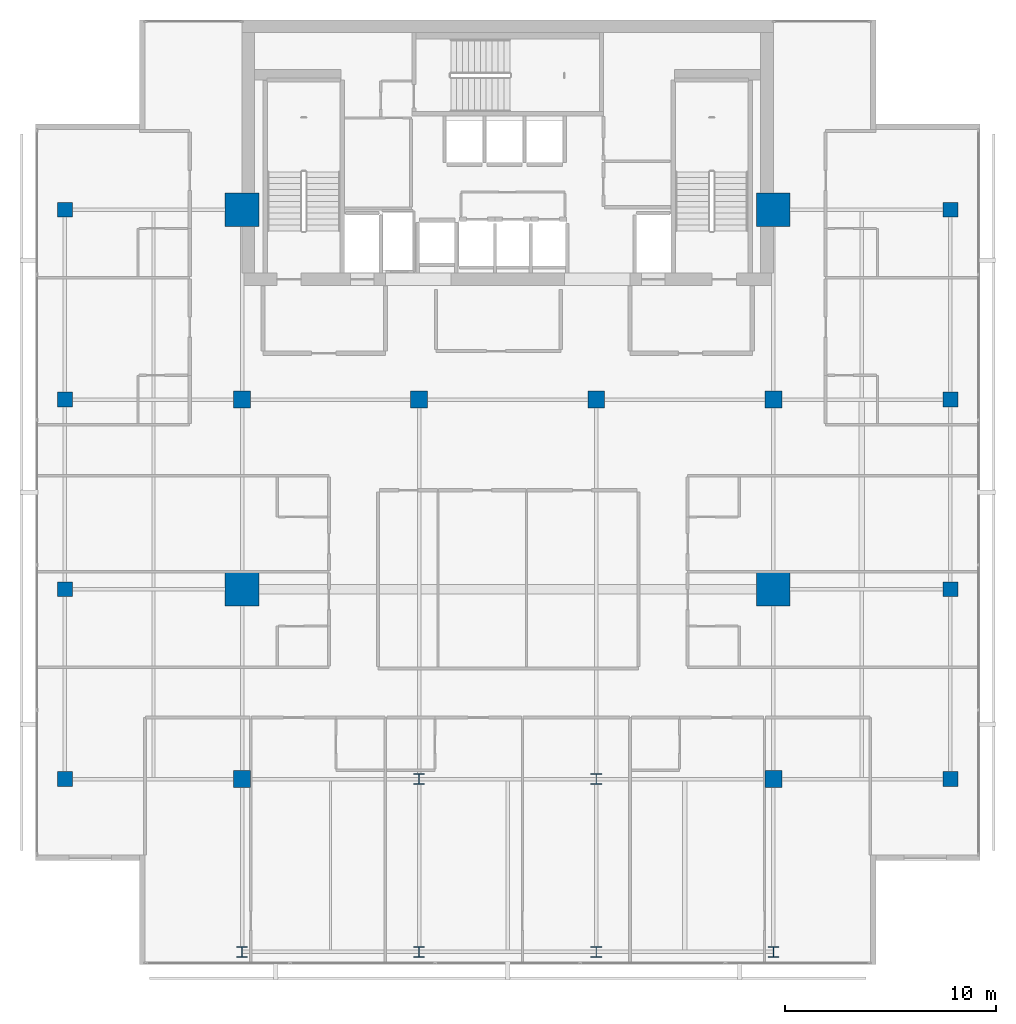
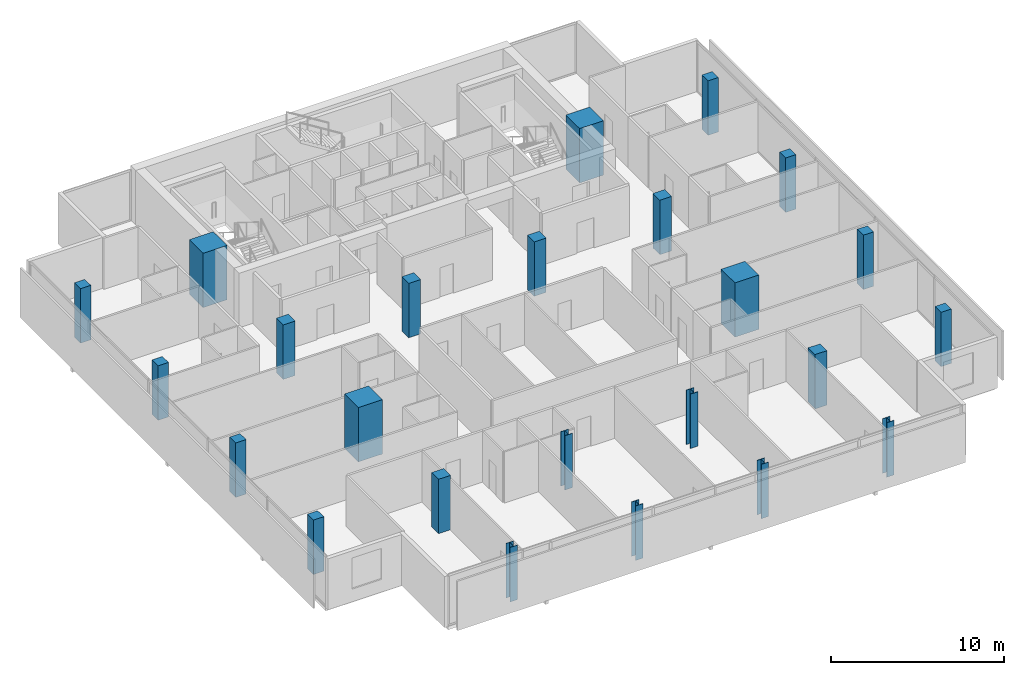
# One storey, part 1 of 25: 24 columns.
"""IFC4 building model written with IfcOpenShell, lengths in metres."""

import ifcopenshell
import ifcopenshell.guid

model = None  # the IFC model being written
_history = None  # IfcOwnerHistory: only IFC2X3 demands one
_inside = {}  # id of a spatial element -> (the spatial element, [elements in it])
_under = {}  # id of a project, library or spatial element -> (it, [spatial elements below it])
_declared = {}  # id of a project -> (the project, [libraries it declares])
_typed = {}  # id of a type object -> (the type object, [elements of that type])
_made_of = {}  # id of a material, layer set ... -> (it, [elements and type objects made of it])


def new_model(schema):
    """Start an empty IFC model of exactly this schema.

    Asked for "IFC4X3", IfcOpenShell would pick the latest addendum, in which some entities
    have other attributes; the version numbers below select the first issue.
    IFC2X3 requires an IfcOwnerHistory on every rooted entity: one is made here for all.
    """
    global model, _history
    if schema == "IFC4X3":
        model = ifcopenshell.file(schema_version=(4, 3, 0, 0))
    else:
        model = ifcopenshell.file(schema=schema)
    _inside.clear()
    _under.clear()
    _declared.clear()
    _typed.clear()
    _made_of.clear()
    _history = None
    if model.schema == "IFC2X3":
        org = make("IfcOrganization", Name="unknown")
        user = make(
            "IfcPersonAndOrganization",
            ThePerson=make("IfcPerson", FamilyName="unknown"),
            TheOrganization=org,
        )
        app = make(
            "IfcApplication",
            ApplicationDeveloper=org,
            Version="unknown",
            ApplicationFullName="unknown",
            ApplicationIdentifier="unknown",
        )
        _history = make(
            "IfcOwnerHistory",
            OwningUser=user,
            OwningApplication=app,
            ChangeAction="ADDED",
            CreationDate=0,
        )
    return model


def make(cls, **values):
    """One entity of the class cls with the attributes given. An attribute that is None is left unset."""
    return model.create_entity(
        cls, **{name: value for name, value in values.items() if value is not None}
    )


def rooted(cls, **values):
    """An entity with a GlobalId (a new one), such as an element, a storey or a relation."""
    return make(cls, GlobalId=ifcopenshell.guid.new(), OwnerHistory=_history, **values)


def si_unit(unit_type, name, prefix=None):
    """IfcSIUnit, for example si_unit("LENGTHUNIT", "METRE", prefix="MILLI")."""
    return make("IfcSIUnit", UnitType=unit_type, Prefix=prefix, Name=name)


def assignment(units):
    """IfcUnitAssignment: the units of a project."""
    return None if units is None else make("IfcUnitAssignment", Units=units)


def point(xyz):
    """IfcCartesianPoint."""
    return None if xyz is None else make("IfcCartesianPoint", Coordinates=xyz)


def direction(xyz):
    """IfcDirection."""
    return None if xyz is None else make("IfcDirection", DirectionRatios=xyz)


def frame(location, z_axis=None, x_axis=None):
    """IfcAxis2Placement3D, a coordinate frame: its origin and axes. An axis left out is left unset."""
    return make(
        "IfcAxis2Placement3D",
        Location=point(location),
        Axis=direction(z_axis),
        RefDirection=direction(x_axis),
    )


def frame_2d(location, x_axis=None):
    """IfcAxis2Placement2D, a coordinate frame in the plane: its origin and x axis."""
    return make(
        "IfcAxis2Placement2D", Location=point(location), RefDirection=direction(x_axis)
    )


def origin():
    """The frame at (0, 0, 0) with its axes left unset."""
    return frame((0.0, 0.0, 0.0))


def origin_2d():
    """The frame at (0, 0) in the plane with its x axis left unset."""
    return frame_2d((0.0, 0.0))


def place(relative_to, where):
    """IfcLocalPlacement: puts the frame where relative to a parent placement (None: the world)."""
    return make(
        "IfcLocalPlacement", PlacementRelTo=relative_to, RelativePlacement=where
    )


def context(
    kind, dimensions, precision=None, world=None, true_north=None, identifier=None
):
    """IfcGeometricRepresentationContext, for example the 3D "Model" context."""
    return make(
        "IfcGeometricRepresentationContext",
        ContextIdentifier=identifier,
        ContextType=kind,
        CoordinateSpaceDimension=dimensions,
        Precision=precision,
        WorldCoordinateSystem=world,
        TrueNorth=true_north,
    )


def subcontext(parent, identifier, kind, view, scale=None):
    """IfcGeometricRepresentationSubContext, for example "Body" below "Model"."""
    return make(
        "IfcGeometricRepresentationSubContext",
        ContextIdentifier=identifier,
        ContextType=kind,
        ParentContext=parent,
        TargetScale=scale,
        TargetView=view,
    )


def project(units=None, contexts=None):
    """IfcProject with its units and contexts."""
    return rooted(
        "IfcProject",
        Name="project",
        RepresentationContexts=contexts,
        UnitsInContext=assignment(units),
    )


def spatial(cls, under=None, at=None, **own):
    """A site, building, storey or space (cls), placed at a placement, below another one or the project."""
    s = rooted(cls, ObjectPlacement=at, **own)
    if under is not None:
        _under.setdefault(under.id(), (under, []))[1].append(s)
    return s


def profile(cls, at=None, kind="AREA", **sizes):
    """A parametric profile (cls). Its sizes go by their IFC names, for example OverallWidth=200.0."""
    return make(cls, ProfileType=kind, Position=at, **sizes)


def rectangle(**sizes):
    """IfcRectangleProfileDef."""
    return profile("IfcRectangleProfileDef", **sizes)


def i_section(**sizes):
    """IfcIShapeProfileDef."""
    return profile("IfcIShapeProfileDef", **sizes)


def extrude(swept, where, along, depth):
    """IfcExtrudedAreaSolid: the profile swept, set in the frame where, extruded along a direction by depth."""
    return make(
        "IfcExtrudedAreaSolid",
        SweptArea=swept,
        Position=where,
        ExtrudedDirection=direction(along),
        Depth=depth,
    )


def shape(context_of_items, identifier, shape_type, items):
    """IfcShapeRepresentation: the items that make up one representation, for example the "Body"."""
    return make(
        "IfcShapeRepresentation",
        ContextOfItems=context_of_items,
        RepresentationIdentifier=identifier,
        RepresentationType=shape_type,
        Items=items,
    )


def material(Name=None, Category=None):
    """IfcMaterial."""
    return make("IfcMaterial", Name=Name, Category=Category)


def material_profile(
    of_material, cross_section, Name=None, Category=None, Priority=None
):
    """IfcMaterialProfile: a cross section and its material."""
    return make(
        "IfcMaterialProfile",
        Name=Name,
        Material=of_material,
        Profile=cross_section,
        Priority=Priority,
        Category=Category,
    )


def profile_set(profiles, Name=None, composite=None):
    """IfcMaterialProfileSet."""
    return make(
        "IfcMaterialProfileSet",
        Name=Name,
        MaterialProfiles=profiles,
        CompositeProfile=composite,
    )


def made_of(thing, what):
    """Note that an element or type object is made of a material, layer set ...; save() writes the relation."""
    if what is not None:
        _made_of.setdefault(what.id(), (what, []))[1].append(thing)
    return thing


def type_object(cls, material=None, **own):
    """A type object (cls), such as IfcWallType, which elements share."""
    return made_of(rooted(cls, **own), material)


def element(
    cls,
    number,
    at=None,
    inside=None,
    cuts=None,
    type_object=None,
    material=None,
    context=None,
    identifier="Body",
    shape_type=None,
    held_by="IfcProductDefinitionShape",
    body=None,
    shapes=None,
    **own,
):
    """One element of the class cls, such as IfcWall. Its Tag is "e" and its number.

    at: its placement. inside: the storey or other place that contains it. cuts: it is an
    opening in that element (IfcRelVoidsElement). A single representation is given by context,
    identifier, shape_type and body (its items); several are given by shapes. held_by: the class
    of the entity that holds the representations. save() writes the other relations.
    """
    e = rooted(cls, Tag="e%d" % number, ObjectPlacement=at, **own)
    if body is not None:
        shapes = [shape(context, identifier, shape_type, body)]
    if shapes is not None:
        e.Representation = make(held_by, Representations=shapes)
    if inside is not None:
        _inside.setdefault(inside.id(), (inside, []))[1].append(e)
    if cuts is not None:
        rooted(
            "IfcRelVoidsElement", RelatingBuildingElement=cuts, RelatedOpeningElement=e
        )
    if type_object is not None:
        _typed.setdefault(type_object.id(), (type_object, []))[1].append(e)
    return made_of(e, material)


def aggregate(whole, parts):
    """IfcRelAggregates: a whole, such as a stair, and the parts it consists of."""
    return rooted("IfcRelAggregates", RelatingObject=whole, RelatedObjects=parts)


def save(model, path):
    """Write the relations noted so far, then the file.

    IfcRelAggregates (storeys below a building ...), IfcRelContainedInSpatialStructure (elements
    in a storey), IfcRelDefinesByType, IfcRelAssociatesMaterial and IfcRelDeclares: one each for
    every whole, place, type object, material and project.
    """
    for whole, parts in _under.values():
        aggregate(whole, parts)
    for where, things in _inside.values():
        rooted(
            "IfcRelContainedInSpatialStructure",
            RelatedElements=things,
            RelatingStructure=where,
        )
    for kind, things in _typed.values():
        rooted("IfcRelDefinesByType", RelatedObjects=things, RelatingType=kind)
    for what, things in _made_of.values():
        rooted("IfcRelAssociatesMaterial", RelatedObjects=things, RelatingMaterial=what)
    for by, libraries in _declared.values():
        rooted("IfcRelDeclares", RelatingContext=by, RelatedDefinitions=libraries)
    model.write(path)


model = new_model("IFC4")

# Units and contexts
model_context = context("Model", 3, precision=1e-05, world=origin(), true_north=direction((0.0, 1.0)))
body_context = subcontext(model_context, "Body", "Model", "MODEL_VIEW")
ifc_project = project(units=[si_unit("LENGTHUNIT", "METRE"), si_unit("AREAUNIT", "SQUARE_METRE"), si_unit("VOLUMEUNIT", "CUBIC_METRE"), si_unit("PLANEANGLEUNIT", "RADIAN"), si_unit("MASSUNIT", "GRAM", prefix="KILO")], contexts=[model_context])

# Site, building, storey
site_placement = place(None, origin())
site = spatial("IfcSite", under=ifc_project, at=site_placement, CompositionType="ELEMENT")
building_placement = place(site_placement, origin())
building = spatial("IfcBuilding", under=site, at=building_placement, Name="Maruvema Waterfront Hotel and Observation Tower", CompositionType="ELEMENT")
storey_placement = place(building_placement, frame((0.0, 0.0, 304.85009765625)))
storey = spatial("IfcBuildingStorey", under=building, at=storey_placement, Name="L75", CompositionType="ELEMENT", Elevation=304.85009765625)

# Columns
ifc_material_1 = material(Name="Concrete C70/85", Category="concrete")
ifc_material_profile_1 = material_profile(ifc_material_1, rectangle(XDim=1.60009765625, YDim=1.60009765625, at=origin_2d()), Name="MC1600x1600")
ifc_profile_set_1 = profile_set([ifc_material_profile_1], Name="Concrete C70/85")
column_type_1 = type_object("IfcColumnType", Name="Continuous Mega-Column MC1600x1600", PredefinedType="COLUMN", material=ifc_profile_set_1)
for number, where, z_axis, x_axis, name in (
    (1, (25.199951171875, 27.0, 0.0), (0.0, 0.0, 1.0), (1.0, 0.0, 0.0), "L75 Continuous Mega-Column MC-01"),
    (2, (50.39990234375, 27.0, 0.0), (0.0, 0.0, 1.0), (1.0, 0.0, 0.0), "L75 Continuous Mega-Column MC-02"),
    (3, (25.199951171875, 45.0, 0.0), (0.0, 0.0, 1.0), (1.0, 0.0, 0.0), "L75 Continuous Mega-Column MC-03"),
    (4, (50.39990234375, 45.0, 0.0), (0.0, 0.0, 1.0), (1.0, 0.0, 0.0), "L75 Continuous Mega-Column MC-04"),
):
    element("IfcColumn", number, at=place(storey_placement, frame(where, z_axis=z_axis, x_axis=x_axis)), inside=storey, type_object=column_type_1, Name=name, PredefinedType="COLUMN", context=body_context, shape_type="SweptSolid", body=[
        extrude(rectangle(XDim=1.60009765625, YDim=1.60009765625, at=origin_2d()), origin(), (0.0, 0.0, 1.0), 3.849853515625),
    ])
ifc_material_2 = material(Name="Concrete C60/75", Category="concrete")
ifc_material_profile_2 = material_profile(ifc_material_2, rectangle(XDim=0.699951171875, YDim=0.699951171875, at=origin_2d()), Name="RC700x700")
ifc_profile_set_2 = profile_set([ifc_material_profile_2], Name="Concrete C60/75")
column_type_2 = type_object("IfcColumnType", Name="Reinforced Concrete Column RC700x700", PredefinedType="COLUMN", material=ifc_profile_set_2)
for number, where, z_axis, x_axis, name in (
    (5, (16.800048828125, 18.0, 0.0), (0.0, 0.0, 1.0), (1.0, 0.0, 0.0), "L75 Column C-3Y18"),
    (6, (58.800048828125, 18.0, 0.0), (0.0, 0.0, 1.0), (1.0, 0.0, 0.0), "L75 Column C-8Y18"),
    (7, (16.800048828125, 27.0, 0.0), (0.0, 0.0, 1.0), (1.0, 0.0, 0.0), "L75 Column C-3Y27"),
    (8, (58.800048828125, 27.0, 0.0), (0.0, 0.0, 1.0), (1.0, 0.0, 0.0), "L75 Column C-8Y27"),
    (9, (16.800048828125, 36.0, 0.0), (0.0, 0.0, 1.0), (1.0, 0.0, 0.0), "L75 Column C-3Y36"),
    (10, (58.800048828125, 36.0, 0.0), (0.0, 0.0, 1.0), (1.0, 0.0, 0.0), "L75 Column C-8Y36"),
    (11, (16.800048828125, 45.0, 0.0), (0.0, 0.0, 1.0), (1.0, 0.0, 0.0), "L75 Column C-3Y45"),
    (12, (58.800048828125, 45.0, 0.0), (0.0, 0.0, 1.0), (1.0, 0.0, 0.0), "L75 Column C-8Y45"),
):
    element("IfcColumn", number, at=place(storey_placement, frame(where, z_axis=z_axis, x_axis=x_axis)), inside=storey, type_object=column_type_2, Name=name, PredefinedType="COLUMN", context=body_context, shape_type="SweptSolid", body=[
        extrude(rectangle(XDim=0.699951171875, YDim=0.699951171875, at=origin_2d()), origin(), (0.0, 0.0, 1.0), 3.849853515625),
    ])
ifc_material_3 = material(Name="Concrete C60/75", Category="concrete")
ifc_material_profile_3 = material_profile(ifc_material_3, rectangle(XDim=0.800048828125, YDim=0.800048828125, at=origin_2d()), Name="RC800x800")
ifc_profile_set_3 = profile_set([ifc_material_profile_3], Name="Concrete C60/75")
column_type_3 = type_object("IfcColumnType", Name="Reinforced Concrete Column RC800x800", PredefinedType="COLUMN", material=ifc_profile_set_3)
for number, where, z_axis, x_axis, name in (
    (13, (25.199951171875, 36.0, 0.0), (0.0, 0.0, 1.0), (1.0, 0.0, 0.0), "L75 Column C-4E"),
    (14, (33.60009765625, 36.0, 0.0), (0.0, 0.0, 1.0), (1.0, 0.0, 0.0), "L75 Column C-5E"),
    (15, (42.0, 36.0, 0.0), (0.0, 0.0, 1.0), (1.0, 0.0, 0.0), "L75 Column C-6E"),
    (16, (50.39990234375, 36.0, 0.0), (0.0, 0.0, 1.0), (1.0, 0.0, 0.0), "L75 Column C-7E"),
    (17, (25.199951171875, 18.0, 0.0), (0.0, 0.0, 1.0), (1.0, 0.0, 0.0), "L75 Column C-4C"),
    (18, (50.39990234375, 18.0, 0.0), (0.0, 0.0, 1.0), (1.0, 0.0, 0.0), "L75 Column C-7C"),
):
    element("IfcColumn", number, at=place(storey_placement, frame(where, z_axis=z_axis, x_axis=x_axis)), inside=storey, type_object=column_type_3, Name=name, PredefinedType="COLUMN", context=body_context, shape_type="SweptSolid", body=[
        extrude(rectangle(XDim=0.800048828125, YDim=0.800048828125, at=origin_2d()), origin(), (0.0, 0.0, 1.0), 3.849853515625),
    ])
ifc_material_4 = material(Name="Steel ABNT NBR 7007 AR 415 (ASTM A572 Grade 50)", Category="steel")
ifc_material_profile_4 = material_profile(ifc_material_4, i_section(OverallWidth=0.5, OverallDepth=0.5, WebThickness=0.02197265625, FlangeThickness=0.031982421875, at=origin_2d()), Name="CVS500x223")
ifc_profile_set_4 = profile_set([ifc_material_profile_4], Name="Steel ABNT NBR 7007 AR 415 (ASTM A572 Grade 50)")
column_type_4 = type_object("IfcColumnType", Name="Structural Steel Column CVS500x223", PredefinedType="COLUMN", material=ifc_profile_set_4)
for number, where, z_axis, x_axis, name in (
    (19, (33.60009765625, 18.0, 0.0), (0.0, 0.0, 1.0), (1.0, 0.0, 0.0), "L75 Column C-5C"),
    (20, (42.0, 18.0, 0.0), (0.0, 0.0, 1.0), (1.0, 0.0, 0.0), "L75 Column C-6C"),
    (21, (25.199951171875, 9.800048828125, 0.0), (0.0, 0.0, 1.0), (1.0, 0.0, 0.0), "L75 Column C-Z3S4"),
    (22, (33.60009765625, 9.800048828125, 0.0), (0.0, 0.0, 1.0), (1.0, 0.0, 0.0), "L75 Column C-Z3S5"),
    (23, (42.0, 9.800048828125, 0.0), (0.0, 0.0, 1.0), (1.0, 0.0, 0.0), "L75 Column C-Z3S6"),
    (24, (50.39990234375, 9.800048828125, 0.0), (0.0, 0.0, 1.0), (1.0, 0.0, 0.0), "L75 Column C-Z3S7"),
):
    element("IfcColumn", number, at=place(storey_placement, frame(where, z_axis=z_axis, x_axis=x_axis)), inside=storey, type_object=column_type_4, Name=name, PredefinedType="COLUMN", context=body_context, shape_type="SweptSolid", body=[
        extrude(i_section(OverallWidth=0.5, OverallDepth=0.5, WebThickness=0.02197265625, FlangeThickness=0.031982421875, at=origin_2d()), origin(), (0.0, 0.0, 1.0), 3.849853515625),
    ])

save(model, "model.ifc")
